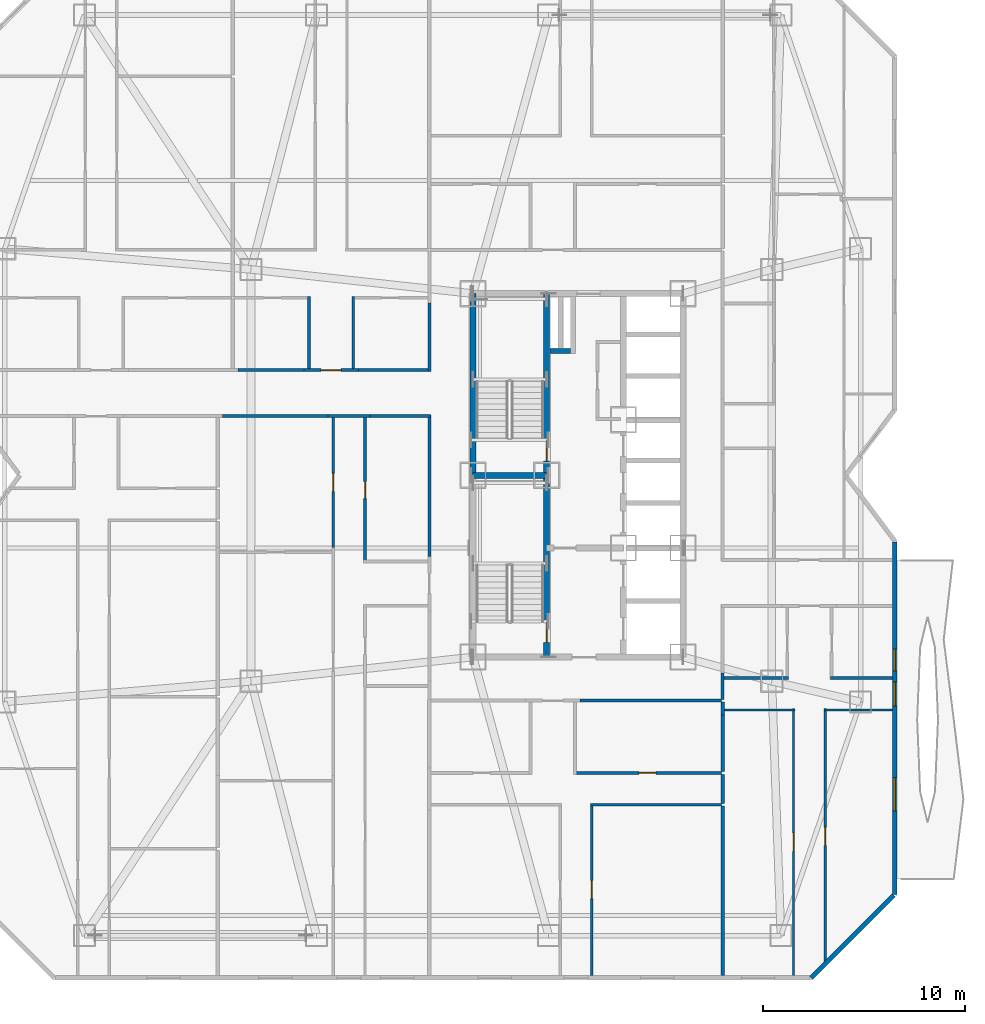
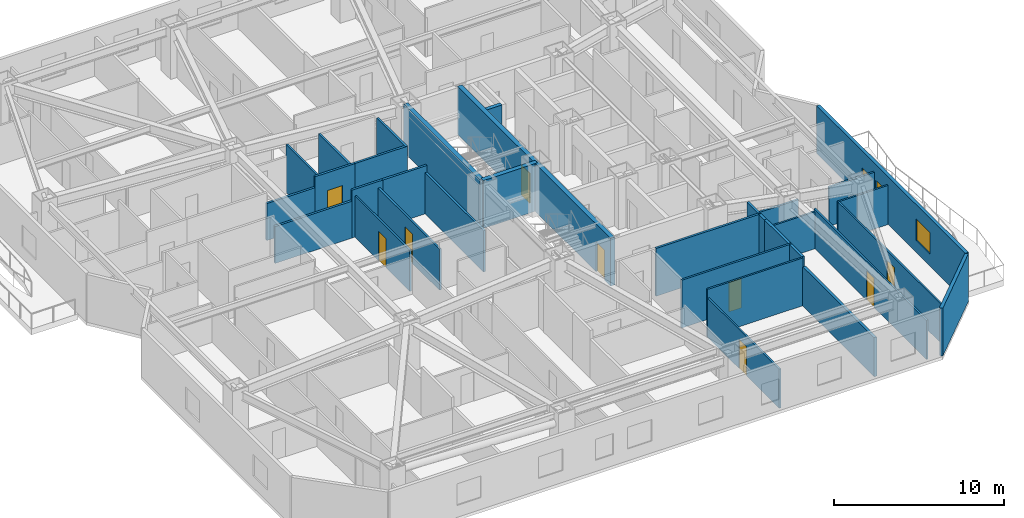
# One storey, part 10 of 16: 34 walls, 10 doors, 2 windows, 12 openings.
"""IFC4 building model written with IfcOpenShell, lengths in metres."""

from ifc_helpers import new_model, si_unit, direction, frame, frame_2d, origin, place, context, subcontext, project, spatial, rectangle, extrude, material, layer, layer_set, type_object, element, fill, save


model = new_model("IFC4")

# Units and contexts
model_context = context("Model", 3, precision=1e-05, world=origin(), true_north=direction((0.0, 1.0)))
body_context = subcontext(model_context, "Body", "Model", "MODEL_VIEW")
ifc_project = project(units=[si_unit("LENGTHUNIT", "METRE"), si_unit("AREAUNIT", "SQUARE_METRE"), si_unit("VOLUMEUNIT", "CUBIC_METRE"), si_unit("PLANEANGLEUNIT", "RADIAN"), si_unit("MASSUNIT", "GRAM", prefix="KILO")], contexts=[model_context])

# Site, building, storey
site_placement = place(None, origin())
site = spatial("IfcSite", under=ifc_project, at=site_placement, CompositionType="ELEMENT")
building_placement = place(site_placement, origin())
building = spatial("IfcBuilding", under=site, at=building_placement, Name="Khamvora Tower", CompositionType="ELEMENT")
storey_placement = place(building_placement, frame((0.0, 0.0, 55.199951171875)))
storey = spatial("IfcBuildingStorey", under=building, at=storey_placement, Name="L13", CompositionType="ELEMENT", Elevation=55.199951171875)

# Wall
ifc_material_1 = material(Name="Concrete C50/60", Category="concrete")
ifc_layer_1 = layer(ifc_material_1, 0.300048828125)
ifc_layer_set_1 = layer_set([ifc_layer_1], Name="Concrete C50/60")
wall_type_1 = type_object("IfcWallType", Name="WAL-CORE-300", PredefinedType="SHEAR", material=ifc_layer_set_1)
wall_1_placement = place(storey_placement, frame((29.0, 28.0, 0.0), z_axis=(0.0, 0.0, 1.0), x_axis=(0.0, 1.0, 0.0)))
element("IfcWall", 1, at=wall_1_placement, inside=storey, type_object=wall_type_1, Name="L13 central core west north wall", PredefinedType="SHEAR", context=body_context, shape_type="SweptSolid", body=[
    extrude(rectangle(XDim=9.0, YDim=0.300048828125, at=frame_2d((4.5, 0.0))), origin(), (0.0, 0.0, 1.0), 3.429931640625),
])

# Wall, opening, door
wall_2_placement = place(storey_placement, frame((32.64990234375, 19.0, 0.0), z_axis=(0.0, 0.0, 1.0), x_axis=(0.0, 1.0, 0.0)))
wall_2 = element("IfcWall", 2, at=wall_2_placement, inside=storey, type_object=wall_type_1, Name="L13 central core stair south spine wall", PredefinedType="SHEAR", context=body_context, shape_type="SweptSolid", body=[
    extrude(rectangle(XDim=9.0, YDim=0.300048828125, at=frame_2d((4.5, 0.0))), origin(), (0.0, 0.0, 1.0), 3.429931640625),
])
opening_1_placement = place(wall_2_placement, frame((0.719970703125, 0.0, 0.0)))
opening_1 = element("IfcOpeningElement", 3, at=opening_1_placement, cuts=wall_2, Name="Opening D-ST1", PredefinedType="OPENING", context=body_context, shape_type="SweptSolid", body=[
    extrude(rectangle(XDim=1.0, YDim=2.14990234375, at=frame_2d((0.5, 1.074951171875))), frame((0.0, 0.159912109375, 0.0), z_axis=(0.0, -1.0, 0.0), x_axis=(1.0, 0.0, 0.0)), (0.0, 0.0, 1.0), 0.320068359375),
])
ifc_material_2 = material(Name="Powder-Coated Steel and Hardwood Leaf", Category="steel")
door_type_1 = type_object("IfcDoorType", Name="DOR-STAIR-1000", OperationType="NOTDEFINED", PredefinedType="DOOR", material=ifc_material_2)
door_1_placement = place(opening_1_placement, origin())
door_1 = element("IfcDoor", 4, at=door_1_placement, inside=storey, type_object=door_type_1, Name="L13 exit stair ST-01 fire door", OperationType="SINGLE_SWING_RIGHT", OverallHeight=2.14990234375, OverallWidth=1.0, PredefinedType="DOOR", context=body_context, shape_type="SweptSolid", body=[
    extrude(rectangle(XDim=1.0, YDim=2.14990234375, at=frame_2d((0.5, 1.074951171875))), frame((0.0, 0.02490234375, 0.0), z_axis=(0.0, -1.0, 0.0), x_axis=(1.0, 0.0, 0.0)), (0.0, 0.0, 1.0), 0.050048828125),
])
fill(opening_1, door_1)

wall_3_placement = place(storey_placement, frame((32.64990234375, 28.0, 0.0), z_axis=(0.0, 0.0, 1.0), x_axis=(0.0, 1.0, 0.0)))
wall_3 = element("IfcWall", 5, at=wall_3_placement, inside=storey, type_object=wall_type_1, Name="L13 central core stair north spine wall", PredefinedType="SHEAR", context=body_context, shape_type="SweptSolid", body=[
    extrude(rectangle(XDim=9.0, YDim=0.300048828125, at=frame_2d((4.5, 0.0))), origin(), (0.0, 0.0, 1.0), 3.429931640625),
])
opening_2_placement = place(wall_3_placement, frame((0.719970703125, 0.0, 0.0)))
opening_2 = element("IfcOpeningElement", 6, at=opening_2_placement, cuts=wall_3, Name="Opening D-ST1", PredefinedType="OPENING", context=body_context, shape_type="SweptSolid", body=[
    extrude(rectangle(XDim=1.0, YDim=2.14990234375, at=frame_2d((0.5, 1.074951171875))), frame((0.0, 0.159912109375, 0.0), z_axis=(0.0, -1.0, 0.0), x_axis=(1.0, 0.0, 0.0)), (0.0, 0.0, 1.0), 0.320068359375),
])
door_2_placement = place(opening_2_placement, origin())
door_2 = element("IfcDoor", 7, at=door_2_placement, inside=storey, type_object=door_type_1, Name="L13 exit stair ST-02 fire door", OperationType="SINGLE_SWING_RIGHT", OverallHeight=2.14990234375, OverallWidth=1.0, PredefinedType="DOOR", context=body_context, shape_type="SweptSolid", body=[
    extrude(rectangle(XDim=1.0, YDim=2.14990234375, at=frame_2d((0.5, 1.074951171875))), frame((0.0, 0.02490234375, 0.0), z_axis=(0.0, -1.0, 0.0), x_axis=(1.0, 0.0, 0.0)), (0.0, 0.0, 1.0), 0.050048828125),
])
fill(opening_2, door_2)

# Walls
wall_4_placement = place(storey_placement, frame((29.0, 28.0, 0.0), z_axis=(0.0, 0.0, 1.0), x_axis=(1.0, 0.0, 0.0)))
element("IfcWall", 8, at=wall_4_placement, inside=storey, type_object=wall_type_1, Name="L13 central core stair cross wall", PredefinedType="SHEAR", context=body_context, shape_type="SweptSolid", body=[
    extrude(rectangle(XDim=3.64990234375, YDim=0.300048828125, at=frame_2d((1.824951171875, 0.0))), origin(), (0.0, 0.0, 1.0), 3.429931640625),
])
ifc_material_3 = material(Name="Fire-Rated Drywall and Steel Stud", Category="steel")
ifc_layer_2 = layer(ifc_material_3, 0.14990234375)
ifc_layer_set_2 = layer_set([ifc_layer_2], Name="Fire-Rated Drywall and Steel Stud")
wall_type_2 = type_object("IfcWallType", Name="WAL-CORR-150", PredefinedType="STANDARD", material=ifc_layer_set_2)
wall_5_placement = place(storey_placement, frame((23.89990234375, 30.93505859375, 0.0), z_axis=(0.0, 0.0, 1.0), x_axis=(-1.0, 0.0, 0.0)))
element("IfcWall", 9, at=wall_5_placement, inside=storey, type_object=wall_type_2, Name="L13 interior partition wall 009", PredefinedType="STANDARD", context=body_context, shape_type="SweptSolid", body=[
    extrude(rectangle(XDim=2.078857421875, YDim=0.14990234375, at=frame_2d((1.03955078125, 0.0))), origin(), (0.0, 0.0, 1.0), 3.429931640625),
])
wall_6_placement = place(storey_placement, frame((26.8349609375, 23.98291015625, 0.0), z_axis=(0.0, 0.0, 1.0), x_axis=(0.0, 1.0, 0.0)))
element("IfcWall", 10, at=wall_6_placement, inside=storey, type_object=wall_type_2, Name="L13 interior partition wall 011", PredefinedType="STANDARD", context=body_context, shape_type="SweptSolid", body=[
    extrude(rectangle(XDim=7.01708984375, YDim=0.14990234375, at=frame_2d((3.508544921875, 0.0))), origin(), (0.0, 0.0, 1.0), 2.95703125),
])
wall_7_placement = place(storey_placement, frame((26.89794921875, 30.93505859375, 0.0), z_axis=(0.0, 0.0, 1.0), x_axis=(-1.0, 0.0, 0.0)))
element("IfcWall", 11, at=wall_7_placement, inside=storey, type_object=wall_type_2, Name="L13 interior partition wall 012", PredefinedType="STANDARD", context=body_context, shape_type="SweptSolid", body=[
    extrude(rectangle(XDim=2.998046875, YDim=0.14990234375, at=frame_2d((1.4990234375, 0.0))), origin(), (0.0, 0.0, 1.0), 3.429931640625),
])
wall_8_placement = place(storey_placement, frame((21.821044921875, 30.93505859375, 0.0), z_axis=(0.0, 0.0, 1.0), x_axis=(-1.0, 0.0, 0.0)))
element("IfcWall", 12, at=wall_8_placement, inside=storey, type_object=wall_type_2, Name="L13 interior partition wall 013", PredefinedType="STANDARD", context=body_context, shape_type="SweptSolid", body=[
    extrude(rectangle(XDim=5.22509765625, YDim=0.14990234375, at=frame_2d((2.612548828125, 0.0))), origin(), (0.0, 0.0, 1.0), 2.64697265625),
])

# Wall, opening, door
wall_9_placement = place(storey_placement, frame((20.62109375, 33.215087890625, 0.0), z_axis=(0.0, 0.0, 1.0), x_axis=(1.0, 0.0, 0.0)))
wall_9 = element("IfcWall", 13, at=wall_9_placement, inside=storey, type_object=wall_type_2, Name="L13 interior partition wall 018", PredefinedType="STANDARD", context=body_context, shape_type="SweptSolid", body=[
    extrude(rectangle(XDim=2.697998046875, YDim=0.14990234375, at=frame_2d((1.34912109375, 0.0))), origin(), (0.0, 0.0, 1.0), 3.429931640625),
])
opening_3_placement = place(wall_9_placement, frame((0.84912109375, 0.0, 0.0)))
opening_3 = element("IfcOpeningElement", 14, at=opening_3_placement, cuts=wall_9, Name="Opening D-U1", PredefinedType="OPENING", context=body_context, shape_type="SweptSolid", body=[
    extrude(rectangle(XDim=1.0, YDim=2.14990234375, at=frame_2d((0.5, 1.074951171875))), frame((0.0, 0.0849609375, 0.0), z_axis=(0.0, -1.0, 0.0), x_axis=(1.0, 0.0, 0.0)), (0.0, 0.0, 1.0), 0.169921875),
])
door_type_2 = type_object("IfcDoorType", Name="DOR-UNIT-1000", OperationType="NOTDEFINED", PredefinedType="DOOR", material=ifc_material_2)
door_3_placement = place(opening_3_placement, origin())
door_3 = element("IfcDoor", 15, at=door_3_placement, inside=storey, type_object=door_type_2, Name="L13 interior door COR-13WCH", OperationType="SINGLE_SWING_LEFT", OverallHeight=2.14990234375, OverallWidth=1.0, PredefinedType="DOOR", context=body_context, shape_type="SweptSolid", body=[
    extrude(rectangle(XDim=1.0, YDim=2.14990234375, at=frame_2d((0.5, 1.074951171875))), frame((0.0, 0.02490234375, 0.0), z_axis=(0.0, -1.0, 0.0), x_axis=(1.0, 0.0, 0.0)), (0.0, 0.0, 1.0), 0.050048828125),
])
fill(opening_3, door_3)

# Walls
wall_10_placement = place(storey_placement, frame((17.35400390625, 33.215087890625, 0.0), z_axis=(0.0, 0.0, 1.0), x_axis=(1.0, 0.0, 0.0)))
element("IfcWall", 16, at=wall_10_placement, inside=storey, type_object=wall_type_2, Name="L13 interior partition wall 019", PredefinedType="STANDARD", context=body_context, shape_type="SweptSolid", body=[
    extrude(rectangle(XDim=3.26708984375, YDim=0.14990234375, at=frame_2d((1.633544921875, 0.0))), origin(), (0.0, 0.0, 1.0), 2.64697265625),
])
wall_11_placement = place(storey_placement, frame((26.8349609375, 33.14990234375, 0.0), z_axis=(0.0, 0.0, 1.0), x_axis=(0.0, 1.0, 0.0)))
element("IfcWall", 17, at=wall_11_placement, inside=storey, type_object=wall_type_2, Name="L13 interior partition wall 020", PredefinedType="STANDARD", context=body_context, shape_type="SweptSolid", body=[
    extrude(rectangle(XDim=3.39599609375, YDim=0.14990234375, at=frame_2d((1.697998046875, 0.0))), origin(), (0.0, 0.0, 1.0), 3.429931640625),
])
wall_12_placement = place(storey_placement, frame((23.319091796875, 33.215087890625, 0.0), z_axis=(0.0, 0.0, 1.0), x_axis=(1.0, 0.0, 0.0)))
element("IfcWall", 18, at=wall_12_placement, inside=storey, type_object=wall_type_2, Name="L13 interior partition wall 021", PredefinedType="STANDARD", context=body_context, shape_type="SweptSolid", body=[
    extrude(rectangle(XDim=3.578857421875, YDim=0.14990234375, at=frame_2d((1.78955078125, 0.0))), origin(), (0.0, 0.0, 1.0), 3.429931640625),
])
wall_13_placement = place(storey_placement, frame((41.300048828125, 16.8349609375, 0.0), z_axis=(0.0, 0.0, 1.0), x_axis=(-1.0, 0.0, 0.0)))
element("IfcWall", 19, at=wall_13_placement, inside=storey, type_object=wall_type_2, Name="L13 interior partition wall 024", PredefinedType="STANDARD", context=body_context, shape_type="SweptSolid", body=[
    extrude(rectangle(XDim=7.0009765625, YDim=0.14990234375, at=frame_2d((3.50048828125, 0.0))), origin(), (0.0, 0.0, 1.0), 3.429931640625),
])
wall_14_placement = place(storey_placement, frame((41.364990234375, 18.2041015625, 0.0), z_axis=(0.0, 0.0, 1.0), x_axis=(0.0, -1.0, 0.0)))
element("IfcWall", 20, at=wall_14_placement, inside=storey, type_object=wall_type_2, Name="L13 interior partition wall 029", PredefinedType="STANDARD", context=body_context, shape_type="SweptSolid", body=[
    extrude(rectangle(XDim=1.30419921875, YDim=0.14990234375, at=frame_2d((0.652099609375, 0.0))), origin(), (0.0, 0.0, 1.0), 3.429931640625),
])
ifc_material_4 = material(Name="Acoustic Double-Stud Fire Wall", Category="gypsum")
ifc_layer_3 = layer(ifc_material_4, 0.179931640625)
ifc_layer_set_3 = layer_set([ifc_layer_3], Name="Acoustic Double-Stud Fire Wall")
wall_type_3 = type_object("IfcWallType", Name="WAL-CORR-180", PredefinedType="STANDARD", material=ifc_layer_set_3)
wall_15_placement = place(storey_placement, frame((41.364990234375, 13.18994140625, 0.0), z_axis=(0.0, 0.0, 1.0), x_axis=(0.0, -1.0, 0.0)))
element("IfcWall", 21, at=wall_15_placement, inside=storey, type_object=wall_type_3, Name="L13 interior partition wall 110", PredefinedType="STANDARD", context=body_context, shape_type="SweptSolid", body=[
    extrude(rectangle(XDim=1.449951171875, YDim=0.179931640625, at=frame_2d((0.72509765625, 0.0))), origin(), (0.0, 0.0, 1.0), 3.429931640625),
])
wall_16_placement = place(storey_placement, frame((41.364990234375, 16.77001953125, 0.0), z_axis=(0.0, 0.0, 1.0), x_axis=(0.0, -1.0, 0.0)))
element("IfcWall", 22, at=wall_16_placement, inside=storey, type_object=wall_type_3, Name="L13 interior partition wall 111", PredefinedType="STANDARD", context=body_context, shape_type="SweptSolid", body=[
    extrude(rectangle(XDim=0.64404296875, YDim=0.179931640625, at=frame_2d((0.322021484375, 0.0))), origin(), (0.0, 0.0, 1.0), 3.429931640625),
])
wall_17_placement = place(storey_placement, frame((41.364990234375, 16.1259765625, 0.0), z_axis=(0.0, 0.0, 1.0), x_axis=(0.0, -1.0, 0.0)))
element("IfcWall", 23, at=wall_17_placement, inside=storey, type_object=wall_type_3, Name="L13 interior partition wall 112", PredefinedType="STANDARD", context=body_context, shape_type="SweptSolid", body=[
    extrude(rectangle(XDim=2.805908203125, YDim=0.179931640625, at=frame_2d((1.40283203125, 0.0))), origin(), (0.0, 0.0, 1.0), 3.429931640625),
])
wall_18_placement = place(storey_placement, frame((41.364990234375, 11.610107421875, 0.0), z_axis=(0.0, 0.0, 1.0), x_axis=(0.0, -1.0, 0.0)))
element("IfcWall", 24, at=wall_18_placement, inside=storey, type_object=wall_type_3, Name="L13 interior partition wall 113", PredefinedType="STANDARD", context=body_context, shape_type="SweptSolid", body=[
    extrude(rectangle(XDim=8.398193359375, YDim=0.179931640625, at=frame_2d((4.19921875, 0.0))), origin(), (0.0, 0.0, 1.0), 2.802978515625),
])

# Wall, openings, door, windows
ifc_material_5 = material(Name="Precast concrete C40/50", Category="concrete")
ifc_layer_4 = layer(ifc_material_5, 0.219970703125)
ifc_layer_set_4 = layer_set([ifc_layer_4], Name="Precast concrete C40/50")
wall_type_4 = type_object("IfcWallType", Name="WAL-EXT-220", PredefinedType="STANDARD", material=ifc_layer_set_4)
wall_19_placement = place(storey_placement, frame((49.889892578125, 24.70703125, 0.0), z_axis=(0.0, 0.0, 1.0), x_axis=(0.0, -1.0, 0.0)))
wall_19 = element("IfcWall", 25, at=wall_19_placement, inside=storey, type_object=wall_type_4, Name="L13 exterior facade wall 12.1", PredefinedType="STANDARD", context=body_context, shape_type="SweptSolid", body=[
    extrude(rectangle(XDim=17.4609375, YDim=0.219970703125, at=frame_2d((8.73046875, 0.0))), origin(), (0.0, 0.0, 1.0), 3.429931640625),
])
opening_4_placement = place(wall_19_placement, frame((5.31103515625, 0.0, 0.0)))
opening_4 = element("IfcOpeningElement", 26, at=opening_4_placement, cuts=wall_19, Name="Opening BD-01", PredefinedType="OPENING", context=body_context, shape_type="SweptSolid", body=[
    extrude(rectangle(XDim=1.10009765625, YDim=2.199951171875, at=frame_2d((0.550048828125, 1.10009765625))), frame((0.0, 0.119873046875, 0.0), z_axis=(0.0, -1.0, 0.0), x_axis=(1.0, 0.0, 0.0)), (0.0, 0.0, 1.0), 0.239990234375),
])
opening_5_placement = place(wall_19_placement, frame((6.94189453125, 0.0, 0.800048828125)))
opening_5 = element("IfcOpeningElement", 27, at=opening_5_placement, cuts=wall_19, Name="Opening WN-03", PredefinedType="OPENING", context=body_context, shape_type="SweptSolid", body=[
    extrude(rectangle(XDim=1.199951171875, YDim=1.5, at=frame_2d((0.60009765625, 0.75))), frame((0.0, 0.119873046875, 0.0), z_axis=(0.0, -1.0, 0.0), x_axis=(1.0, 0.0, 0.0)), (0.0, 0.0, 1.0), 0.239990234375),
])
opening_6_placement = place(wall_19_placement, frame((11.678955078125, 0.0, 0.85009765625)))
opening_6 = element("IfcOpeningElement", 28, at=opening_6_placement, cuts=wall_19, Name="Opening WN-06", PredefinedType="OPENING", context=body_context, shape_type="SweptSolid", body=[
    extrude(rectangle(XDim=1.64990234375, YDim=1.550048828125, at=frame_2d((0.824951171875, 0.77490234375))), frame((0.0, 0.119873046875, 0.0), z_axis=(0.0, -1.0, 0.0), x_axis=(1.0, 0.0, 0.0)), (0.0, 0.0, 1.0), 0.239990234375),
])
ifc_material_6 = material(Name="Anodised Aluminium and Laminated Safety Glass", Category="aluminium")
door_type_3 = type_object("IfcDoorType", Name="DOR-BAL-1100", OperationType="NOTDEFINED", PredefinedType="DOOR", material=ifc_material_6)
door_4_placement = place(opening_4_placement, origin())
door_4 = element("IfcDoor", 29, at=door_4_placement, inside=storey, type_object=door_type_3, Name="L13 lens gallery balcony door EL1", OperationType="SLIDING_TO_LEFT", OverallHeight=2.199951171875, OverallWidth=1.10009765625, PredefinedType="DOOR", context=body_context, shape_type="SweptSolid", body=[
    extrude(rectangle(XDim=1.10009765625, YDim=2.199951171875, at=frame_2d((0.550048828125, 1.10009765625))), frame((0.0, 0.02490234375, 0.0), z_axis=(0.0, -1.0, 0.0), x_axis=(1.0, 0.0, 0.0)), (0.0, 0.0, 1.0), 0.050048828125),
])
fill(opening_4, door_4)
ifc_material_7 = material(Name="Low-E Laminated Double Glazing", Category="glass")
window_type_1 = type_object("IfcWindowType", Name="WIN-VIS-1200x1500", PartitioningType="SINGLE_PANEL", PredefinedType="WINDOW", material=ifc_material_7)
window_1_placement = place(opening_5_placement, origin())
window_1 = element("IfcWindow", 30, at=window_1_placement, inside=storey, type_object=window_type_1, Name="L13 vision window 12.1.01", OverallHeight=1.5, OverallWidth=1.199951171875, PartitioningType="SINGLE_PANEL", PredefinedType="WINDOW", context=body_context, shape_type="SweptSolid", body=[
    extrude(rectangle(XDim=1.199951171875, YDim=1.5, at=frame_2d((0.60009765625, 0.75))), frame((0.0, 0.030029296875, 0.0), z_axis=(0.0, -1.0, 0.0), x_axis=(1.0, 0.0, 0.0)), (0.0, 0.0, 1.0), 0.06005859375),
])
fill(opening_5, window_1)
window_type_2 = type_object("IfcWindowType", Name="WIN-VIS-1650x1550", PartitioningType="SINGLE_PANEL", PredefinedType="WINDOW", material=ifc_material_7)
window_2_placement = place(opening_6_placement, origin())
window_2 = element("IfcWindow", 31, at=window_2_placement, inside=storey, type_object=window_type_2, Name="L13 vision window 12.1.02", OverallHeight=1.550048828125, OverallWidth=1.64990234375, PartitioningType="SINGLE_PANEL", PredefinedType="WINDOW", context=body_context, shape_type="SweptSolid", body=[
    extrude(rectangle(XDim=1.64990234375, YDim=1.550048828125, at=frame_2d((0.824951171875, 0.77490234375))), frame((0.0, 0.030029296875, 0.0), z_axis=(0.0, -1.0, 0.0), x_axis=(1.0, 0.0, 0.0)), (0.0, 0.0, 1.0), 0.06005859375),
])
fill(opening_6, window_2)

# Wall
wall_20_placement = place(storey_placement, frame((49.840087890625, 7.196044921875, 0.0), z_axis=(0.0, 0.0, 1.0), x_axis=(-0.707127905562, -0.70708565618, 0.0)))
element("IfcWall", 32, at=wall_20_placement, inside=storey, type_object=wall_type_4, Name="L13 exterior facade wall 13.1", PredefinedType="STANDARD", context=body_context, shape_type="SweptSolid", body=[
    extrude(rectangle(XDim=5.778564453125, YDim=0.219970703125, at=frame_2d((2.88916015625, 0.0))), origin(), (0.0, 0.0, 1.0), 3.429931640625),
])

# Wall, opening, door
ifc_material_8 = material(Name="Gypsum Plasterboard Partition", Category="gypsum")
ifc_layer_5 = layer(ifc_material_8, 0.1201171875)
ifc_layer_set_5 = layer_set([ifc_layer_5], Name="Gypsum Plasterboard Partition")
wall_type_5 = type_object("IfcWallType", Name="WAL-PART-120", PredefinedType="PARTITIONING", material=ifc_layer_set_5)
wall_21_placement = place(storey_placement, frame((22.070068359375, 24.429931640625, 0.0), z_axis=(0.0, 0.0, 1.0), x_axis=(0.0, 1.0, 0.0)))
wall_21 = element("IfcWall", 33, at=wall_21_placement, inside=storey, type_object=wall_type_5, Name="L13 interior partition wall 072", PredefinedType="PARTITIONING", context=body_context, shape_type="SweptSolid", body=[
    extrude(rectangle(XDim=6.43798828125, YDim=0.1201171875, at=frame_2d((3.218994140625, 0.0))), origin(), (0.0, 0.0, 1.0), 2.95703125),
])
opening_7_placement = place(wall_21_placement, frame((2.76904296875, 0.0, 0.0)))
opening_7 = element("IfcOpeningElement", 34, at=opening_7_placement, cuts=wall_21, Name="Opening D-RM1", PredefinedType="OPENING", context=body_context, shape_type="SweptSolid", body=[
    extrude(rectangle(XDim=0.89990234375, YDim=2.10009765625, at=frame_2d((0.449951171875, 1.050048828125))), frame((0.0, 0.070068359375, 0.0), z_axis=(0.0, -1.0, 0.0), x_axis=(1.0, 0.0, 0.0)), (0.0, 0.0, 1.0), 0.14013671875),
])
door_type_4 = type_object("IfcDoorType", Name="DOR-ROOM-900", OperationType="NOTDEFINED", PredefinedType="DOOR", material=ifc_material_2)
door_5_placement = place(opening_7_placement, origin())
door_5 = element("IfcDoor", 35, at=door_5_placement, inside=storey, type_object=door_type_4, Name="L13 interior door 13WA2H-13WA2R3", OperationType="SINGLE_SWING_LEFT", OverallHeight=2.10009765625, OverallWidth=0.89990234375, PredefinedType="DOOR", context=body_context, shape_type="SweptSolid", body=[
    extrude(rectangle(XDim=0.89990234375, YDim=2.10009765625, at=frame_2d((0.449951171875, 1.050048828125))), frame((0.0, 0.02490234375, 0.0), z_axis=(0.0, -1.0, 0.0), x_axis=(1.0, 0.0, 0.0)), (0.0, 0.0, 1.0), 0.050048828125),
])
fill(opening_7, door_5)

# Wall
wall_22_placement = place(storey_placement, frame((41.300048828125, 11.675048828125, 0.0), z_axis=(0.0, 0.0, 1.0), x_axis=(-1.0, 0.0, 0.0)))
element("IfcWall", 36, at=wall_22_placement, inside=storey, type_object=wall_type_5, Name="L13 interior partition wall 108", PredefinedType="PARTITIONING", context=body_context, shape_type="SweptSolid", body=[
    extrude(rectangle(XDim=6.47998046875, YDim=0.1201171875, at=frame_2d((3.239990234375, 0.0))), origin(), (0.0, 0.0, 1.0), 3.429931640625),
])

# Wall, opening, door
wall_23_placement = place(storey_placement, frame((34.885009765625, 11.739990234375, 0.0), z_axis=(0.0, 0.0, 1.0), x_axis=(0.0, -1.0, 0.0)))
wall_23 = element("IfcWall", 37, at=wall_23_placement, inside=storey, type_object=wall_type_5, Name="L13 interior partition wall 109", PredefinedType="PARTITIONING", context=body_context, shape_type="SweptSolid", body=[
    extrude(rectangle(XDim=8.528076171875, YDim=0.1201171875, at=frame_2d((4.26416015625, 0.0))), origin(), (0.0, 0.0, 1.0), 2.802978515625),
])
opening_8_placement = place(wall_23_placement, frame((3.81396484375, 0.0, 0.0)))
opening_8 = element("IfcOpeningElement", 38, at=opening_8_placement, cuts=wall_23, Name="Opening D-RM1", PredefinedType="OPENING", context=body_context, shape_type="SweptSolid", body=[
    extrude(rectangle(XDim=0.89990234375, YDim=2.10009765625, at=frame_2d((0.449951171875, 1.050048828125))), frame((0.0, 0.070068359375, 0.0), z_axis=(0.0, -1.0, 0.0), x_axis=(1.0, 0.0, 0.0)), (0.0, 0.0, 1.0), 0.14013671875),
])
door_6_placement = place(opening_8_placement, origin())
door_6 = element("IfcDoor", 39, at=door_6_placement, inside=storey, type_object=door_type_4, Name="L13 interior door 13SAH-13SAR2", OperationType="SINGLE_SWING_RIGHT", OverallHeight=2.10009765625, OverallWidth=0.89990234375, PredefinedType="DOOR", context=body_context, shape_type="SweptSolid", body=[
    extrude(rectangle(XDim=0.89990234375, YDim=2.10009765625, at=frame_2d((0.449951171875, 1.050048828125))), frame((0.0, 0.02490234375, 0.0), z_axis=(0.0, -1.0, 0.0), x_axis=(1.0, 0.0, 0.0)), (0.0, 0.0, 1.0), 0.050048828125),
])
fill(opening_8, door_6)

wall_24_placement = place(storey_placement, frame((44.875, 3.2119140625, 0.0), z_axis=(0.0, 0.0, 1.0), x_axis=(0.0, 1.0, 0.0)))
wall_24 = element("IfcWall", 40, at=wall_24_placement, inside=storey, type_object=wall_type_5, Name="L13 interior partition wall 129", PredefinedType="PARTITIONING", context=body_context, shape_type="SweptSolid", body=[
    extrude(rectangle(XDim=13.22802734375, YDim=0.1201171875, at=frame_2d((6.614013671875, 0.0))), origin(), (0.0, 0.0, 1.0), 2.802978515625),
])
opening_9_placement = place(wall_24_placement, frame((6.1640625, 0.0, 0.0)))
opening_9 = element("IfcOpeningElement", 41, at=opening_9_placement, cuts=wall_24, Name="Opening D-RM1", PredefinedType="OPENING", context=body_context, shape_type="SweptSolid", body=[
    extrude(rectangle(XDim=0.89990234375, YDim=2.10009765625, at=frame_2d((0.449951171875, 1.050048828125))), frame((0.0, 0.070068359375, 0.0), z_axis=(0.0, -1.0, 0.0), x_axis=(1.0, 0.0, 0.0)), (0.0, 0.0, 1.0), 0.14013671875),
])
door_7_placement = place(opening_9_placement, origin())
door_7 = element("IfcDoor", 42, at=door_7_placement, inside=storey, type_object=door_type_4, Name="L13 interior door 13EAH-13EAR1", OperationType="SINGLE_SWING_LEFT", OverallHeight=2.10009765625, OverallWidth=0.89990234375, PredefinedType="DOOR", context=body_context, shape_type="SweptSolid", body=[
    extrude(rectangle(XDim=0.89990234375, YDim=2.10009765625, at=frame_2d((0.449951171875, 1.050048828125))), frame((0.0, 0.02490234375, 0.0), z_axis=(0.0, -1.0, 0.0), x_axis=(1.0, 0.0, 0.0)), (0.0, 0.0, 1.0), 0.050048828125),
])
fill(opening_9, door_7)

# Walls
wall_25_placement = place(storey_placement, frame((44.93994140625, 16.375, 0.0), z_axis=(0.0, 0.0, 1.0), x_axis=(-1.0, 0.0, 0.0)))
element("IfcWall", 43, at=wall_25_placement, inside=storey, type_object=wall_type_5, Name="L13 interior partition wall 130", PredefinedType="PARTITIONING", context=body_context, shape_type="SweptSolid", body=[
    extrude(rectangle(XDim=3.492919921875, YDim=0.1201171875, at=frame_2d((1.74658203125, 0.0))), origin(), (0.0, 0.0, 1.0), 2.64697265625),
])
wall_26_placement = place(storey_placement, frame((49.7880859375, 16.375, 0.0), z_axis=(0.0, 0.0, 1.0), x_axis=(-1.0, 0.0, 0.0)))
element("IfcWall", 44, at=wall_26_placement, inside=storey, type_object=wall_type_5, Name="L13 interior partition wall 131", PredefinedType="PARTITIONING", context=body_context, shape_type="SweptSolid", body=[
    extrude(rectangle(XDim=3.408203125, YDim=0.1201171875, at=frame_2d((1.7041015625, 0.0))), origin(), (0.0, 0.0, 1.0), 2.802978515625),
])

# Wall, opening, door
wall_27_placement = place(storey_placement, frame((46.445068359375, 16.43994140625, 0.0), z_axis=(0.0, 0.0, 1.0), x_axis=(0.0, -1.0, 0.0)))
wall_27 = element("IfcWall", 45, at=wall_27_placement, inside=storey, type_object=wall_type_5, Name="L13 interior partition wall 132", PredefinedType="PARTITIONING", context=body_context, shape_type="SweptSolid", body=[
    extrude(rectangle(XDim=12.64794921875, YDim=0.1201171875, at=frame_2d((6.323974609375, 0.0))), origin(), (0.0, 0.0, 1.0), 2.802978515625),
])
opening_10_placement = place(wall_27_placement, frame((5.8740234375, 0.0, 0.0)))
opening_10 = element("IfcOpeningElement", 46, at=opening_10_placement, cuts=wall_27, Name="Opening D-RM1", PredefinedType="OPENING", context=body_context, shape_type="SweptSolid", body=[
    extrude(rectangle(XDim=0.89990234375, YDim=2.10009765625, at=frame_2d((0.449951171875, 1.050048828125))), frame((0.0, 0.070068359375, 0.0), z_axis=(0.0, -1.0, 0.0), x_axis=(1.0, 0.0, 0.0)), (0.0, 0.0, 1.0), 0.14013671875),
])
door_8_placement = place(opening_10_placement, origin())
door_8 = element("IfcDoor", 47, at=door_8_placement, inside=storey, type_object=door_type_4, Name="L13 interior door 13EAH-13EAR2", OperationType="SINGLE_SWING_RIGHT", OverallHeight=2.10009765625, OverallWidth=0.89990234375, PredefinedType="DOOR", context=body_context, shape_type="SweptSolid", body=[
    extrude(rectangle(XDim=0.89990234375, YDim=2.10009765625, at=frame_2d((0.449951171875, 1.050048828125))), frame((0.0, 0.02490234375, 0.0), z_axis=(0.0, -1.0, 0.0), x_axis=(1.0, 0.0, 0.0)), (0.0, 0.0, 1.0), 0.050048828125),
])
fill(opening_10, door_8)

# Wall
ifc_material_9 = material(Name="Concrete C40/50", Category="concrete")
ifc_layer_6 = layer(ifc_material_9, 0.25)
ifc_layer_set_6 = layer_set([ifc_layer_6], Name="Concrete C40/50")
wall_type_6 = type_object("IfcWallType", Name="WAL-PODS-250", PredefinedType="SHEAR", material=ifc_layer_set_6)
wall_28_placement = place(storey_placement, frame((32.803955078125, 34.14990234375, 0.0), z_axis=(0.0, 0.0, 1.0), x_axis=(1.0, 0.0, 0.0)))
element("IfcWall", 48, at=wall_28_placement, inside=storey, type_object=wall_type_6, Name="L13 vertical MEP riser shaft south enclosure wall", PredefinedType="SHEAR", context=body_context, shape_type="SweptSolid", body=[
    extrude(rectangle(XDim=1.02197265625, YDim=0.25, at=frame_2d((0.510986328125, 0.0))), origin(), (0.0, 0.0, 1.0), 3.429931640625),
])

# Wall, opening, door
ifc_material_10 = material(Name="Moisture-Resistant Plasterboard Partition", Category="gypsum")
ifc_layer_7 = layer(ifc_material_10, 0.135009765625)
ifc_layer_set_7 = layer_set([ifc_layer_7], Name="Moisture-Resistant Plasterboard Partition")
wall_type_7 = type_object("IfcWallType", Name="WAL-WET-135", PredefinedType="PARTITIONING", material=ifc_layer_set_7)
wall_29_placement = place(storey_placement, frame((23.64990234375, 30.867919921875, 0.0), z_axis=(0.0, 0.0, 1.0), x_axis=(0.0, -1.0, 0.0)))
wall_29 = element("IfcWall", 49, at=wall_29_placement, inside=storey, type_object=wall_type_7, Name="L13 interior partition wall 068", PredefinedType="PARTITIONING", context=body_context, shape_type="SweptSolid", body=[
    extrude(rectangle(XDim=7.198974609375, YDim=0.135009765625, at=frame_2d((3.599609375, 0.0))), origin(), (0.0, 0.0, 1.0), 2.95703125),
])
opening_11_placement = place(wall_29_placement, frame((3.175048828125, 0.0, 0.0)))
opening_11 = element("IfcOpeningElement", 50, at=opening_11_placement, cuts=wall_29, Name="Opening D-RM2", PredefinedType="OPENING", context=body_context, shape_type="SweptSolid", body=[
    extrude(rectangle(XDim=0.85009765625, YDim=2.10009765625, at=frame_2d((0.425048828125, 1.050048828125))), frame((0.0, 0.077392578125, 0.0), z_axis=(0.0, -1.0, 0.0), x_axis=(1.0, 0.0, 0.0)), (0.0, 0.0, 1.0), 0.155029296875),
])
door_type_5 = type_object("IfcDoorType", Name="DOR-ROOM-850", OperationType="NOTDEFINED", PredefinedType="DOOR", material=ifc_material_2)
door_9_placement = place(opening_11_placement, origin())
door_9 = element("IfcDoor", 51, at=door_9_placement, inside=storey, type_object=door_type_5, Name="L13 interior door 13WA2H-13WA2K", OperationType="SINGLE_SWING_RIGHT", OverallHeight=2.10009765625, OverallWidth=0.85009765625, PredefinedType="DOOR", context=body_context, shape_type="SweptSolid", body=[
    extrude(rectangle(XDim=0.85009765625, YDim=2.10009765625, at=frame_2d((0.425048828125, 1.050048828125))), frame((0.0, 0.02490234375, 0.0), z_axis=(0.0, -1.0, 0.0), x_axis=(1.0, 0.0, 0.0)), (0.0, 0.0, 1.0), 0.050048828125),
])
fill(opening_11, door_9)

# Walls
for number, where, z_axis, x_axis, name in (
    (52, (20.8701171875, 33.281982421875, 0.0), (0.0, 0.0, 1.0), (0.0, 1.0, 0.0), "L13 interior partition wall 091"),
    (53, (23.070068359375, 36.860107421875, 0.0), (0.0, 0.0, 1.0), (0.0, -1.0, 0.0), "L13 interior partition wall 094"),
):
    element("IfcWall", number, at=place(storey_placement, frame(where, z_axis=z_axis, x_axis=x_axis)), inside=storey, type_object=wall_type_7, Name=name, PredefinedType="PARTITIONING", context=body_context, shape_type="SweptSolid", body=[
        extrude(rectangle(XDim=3.578125, YDim=0.135009765625, at=frame_2d((1.7890625, 0.0))), origin(), (0.0, 0.0, 1.0), 3.429931640625),
    ])

# Wall, opening, door
wall_30_placement = place(storey_placement, frame((33.985107421875, 13.2548828125, 0.0), z_axis=(0.0, 0.0, 1.0), x_axis=(1.0, 0.0, 0.0)))
wall_30 = element("IfcWall", 54, at=wall_30_placement, inside=storey, type_object=wall_type_7, Name="L13 interior partition wall 105", PredefinedType="PARTITIONING", context=body_context, shape_type="SweptSolid", body=[
    extrude(rectangle(XDim=7.31494140625, YDim=0.135009765625, at=frame_2d((3.657470703125, 0.0))), origin(), (0.0, 0.0, 1.0), 3.429931640625),
])
opening_12_placement = place(wall_30_placement, frame((3.23291015625, 0.0, 0.0)))
opening_12 = element("IfcOpeningElement", 55, at=opening_12_placement, cuts=wall_30, Name="Opening D-RM2", PredefinedType="OPENING", context=body_context, shape_type="SweptSolid", body=[
    extrude(rectangle(XDim=0.85009765625, YDim=2.10009765625, at=frame_2d((0.425048828125, 1.050048828125))), frame((0.0, 0.077392578125, 0.0), z_axis=(0.0, -1.0, 0.0), x_axis=(1.0, 0.0, 0.0)), (0.0, 0.0, 1.0), 0.155029296875),
])
door_10_placement = place(opening_12_placement, origin())
door_10 = element("IfcDoor", 56, at=door_10_placement, inside=storey, type_object=door_type_5, Name="L13 interior door 13SAH-13SAK", OperationType="SINGLE_SWING_RIGHT", OverallHeight=2.10009765625, OverallWidth=0.85009765625, PredefinedType="DOOR", context=body_context, shape_type="SweptSolid", body=[
    extrude(rectangle(XDim=0.85009765625, YDim=2.10009765625, at=frame_2d((0.425048828125, 1.050048828125))), frame((0.0, 0.02490234375, 0.0), z_axis=(0.0, -1.0, 0.0), x_axis=(1.0, 0.0, 0.0)), (0.0, 0.0, 1.0), 0.050048828125),
])
fill(opening_12, door_10)

# Walls
wall_31_placement = place(storey_placement, frame((41.431884765625, 17.955078125, 0.0), z_axis=(0.0, 0.0, 1.0), x_axis=(1.0, 0.0, 0.0)))
element("IfcWall", 57, at=wall_31_placement, inside=storey, type_object=wall_type_7, Name="L13 interior partition wall 125", PredefinedType="PARTITIONING", context=body_context, shape_type="SweptSolid", body=[
    extrude(rectangle(XDim=3.193115234375, YDim=0.135009765625, at=frame_2d((1.5966796875, 0.0))), origin(), (0.0, 0.0, 1.0), 2.64697265625),
])
wall_32_placement = place(storey_placement, frame((46.695068359375, 17.955078125, 0.0), z_axis=(0.0, 0.0, 1.0), x_axis=(1.0, 0.0, 0.0)))
element("IfcWall", 58, at=wall_32_placement, inside=storey, type_object=wall_type_7, Name="L13 interior partition wall 128", PredefinedType="PARTITIONING", context=body_context, shape_type="SweptSolid", body=[
    extrude(rectangle(XDim=3.093017578125, YDim=0.135009765625, at=frame_2d((1.54638671875, 0.0))), origin(), (0.0, 0.0, 1.0), 2.802978515625),
])

save(model, "model.ifc")
